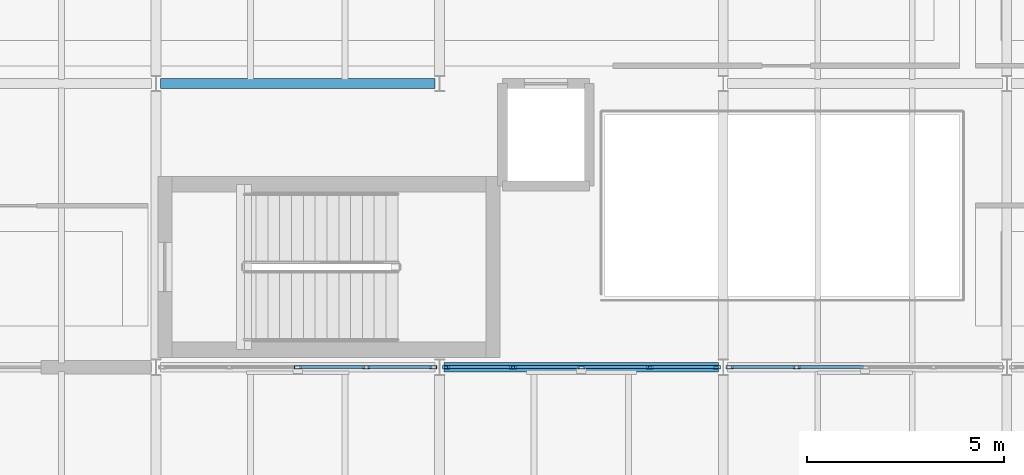
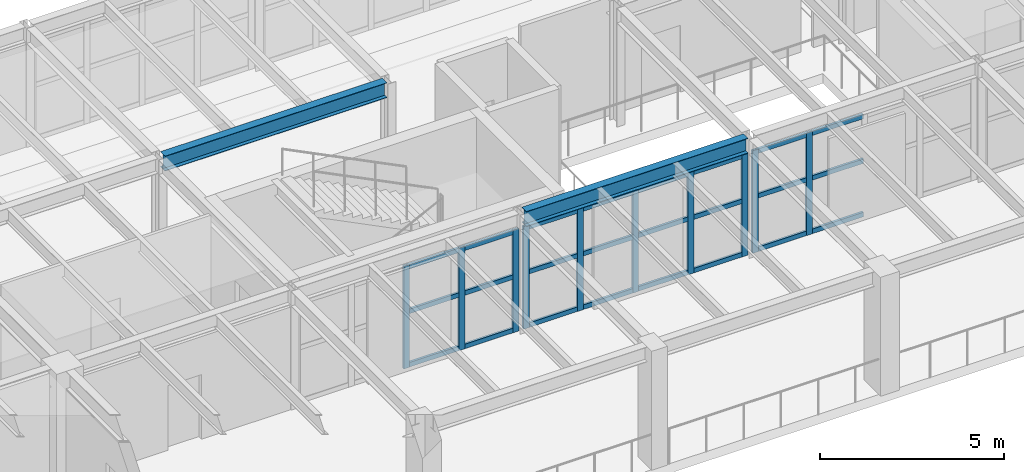
# One storey, part 15 of 59: 34 members, 2 beams, 3 elements without a shape of their own.
"""IFC4 building model written with IfcOpenShell, lengths in metres."""

import ifcopenshell
import ifcopenshell.guid

model = None  # the IFC model being written
_history = None  # IfcOwnerHistory: only IFC2X3 demands one
_inside = {}  # id of a spatial element -> (the spatial element, [elements in it])
_under = {}  # id of a project, library or spatial element -> (it, [spatial elements below it])
_declared = {}  # id of a project -> (the project, [libraries it declares])
_typed = {}  # id of a type object -> (the type object, [elements of that type])
_made_of = {}  # id of a material, layer set ... -> (it, [elements and type objects made of it])


def new_model(schema):
    """Start an empty IFC model of exactly this schema.

    Asked for "IFC4X3", IfcOpenShell would pick the latest addendum, in which some entities
    have other attributes; the version numbers below select the first issue.
    IFC2X3 requires an IfcOwnerHistory on every rooted entity: one is made here for all.
    """
    global model, _history
    if schema == "IFC4X3":
        model = ifcopenshell.file(schema_version=(4, 3, 0, 0))
    else:
        model = ifcopenshell.file(schema=schema)
    _inside.clear()
    _under.clear()
    _declared.clear()
    _typed.clear()
    _made_of.clear()
    _history = None
    if model.schema == "IFC2X3":
        org = make("IfcOrganization", Name="unknown")
        user = make(
            "IfcPersonAndOrganization",
            ThePerson=make("IfcPerson", FamilyName="unknown"),
            TheOrganization=org,
        )
        app = make(
            "IfcApplication",
            ApplicationDeveloper=org,
            Version="unknown",
            ApplicationFullName="unknown",
            ApplicationIdentifier="unknown",
        )
        _history = make(
            "IfcOwnerHistory",
            OwningUser=user,
            OwningApplication=app,
            ChangeAction="ADDED",
            CreationDate=0,
        )
    return model


def make(cls, **values):
    """One entity of the class cls with the attributes given. An attribute that is None is left unset."""
    return model.create_entity(
        cls, **{name: value for name, value in values.items() if value is not None}
    )


def rooted(cls, **values):
    """An entity with a GlobalId (a new one), such as an element, a storey or a relation."""
    return make(cls, GlobalId=ifcopenshell.guid.new(), OwnerHistory=_history, **values)


def si_unit(unit_type, name, prefix=None):
    """IfcSIUnit, for example si_unit("LENGTHUNIT", "METRE", prefix="MILLI")."""
    return make("IfcSIUnit", UnitType=unit_type, Prefix=prefix, Name=name)


def assignment(units):
    """IfcUnitAssignment: the units of a project."""
    return None if units is None else make("IfcUnitAssignment", Units=units)


def point(xyz):
    """IfcCartesianPoint."""
    return None if xyz is None else make("IfcCartesianPoint", Coordinates=xyz)


def direction(xyz):
    """IfcDirection."""
    return None if xyz is None else make("IfcDirection", DirectionRatios=xyz)


def frame(location, z_axis=None, x_axis=None):
    """IfcAxis2Placement3D, a coordinate frame: its origin and axes. An axis left out is left unset."""
    return make(
        "IfcAxis2Placement3D",
        Location=point(location),
        Axis=direction(z_axis),
        RefDirection=direction(x_axis),
    )


def frame_2d(location, x_axis=None):
    """IfcAxis2Placement2D, a coordinate frame in the plane: its origin and x axis."""
    return make(
        "IfcAxis2Placement2D", Location=point(location), RefDirection=direction(x_axis)
    )


def origin():
    """The frame at (0, 0, 0) with its axes left unset."""
    return frame((0.0, 0.0, 0.0))


def origin_2d():
    """The frame at (0, 0) in the plane with its x axis left unset."""
    return frame_2d((0.0, 0.0))


def place(relative_to, where):
    """IfcLocalPlacement: puts the frame where relative to a parent placement (None: the world)."""
    return make(
        "IfcLocalPlacement", PlacementRelTo=relative_to, RelativePlacement=where
    )


def context(
    kind, dimensions, precision=None, world=None, true_north=None, identifier=None
):
    """IfcGeometricRepresentationContext, for example the 3D "Model" context."""
    return make(
        "IfcGeometricRepresentationContext",
        ContextIdentifier=identifier,
        ContextType=kind,
        CoordinateSpaceDimension=dimensions,
        Precision=precision,
        WorldCoordinateSystem=world,
        TrueNorth=true_north,
    )


def subcontext(parent, identifier, kind, view, scale=None):
    """IfcGeometricRepresentationSubContext, for example "Body" below "Model"."""
    return make(
        "IfcGeometricRepresentationSubContext",
        ContextIdentifier=identifier,
        ContextType=kind,
        ParentContext=parent,
        TargetScale=scale,
        TargetView=view,
    )


def project(units=None, contexts=None):
    """IfcProject with its units and contexts."""
    return rooted(
        "IfcProject",
        Name="project",
        RepresentationContexts=contexts,
        UnitsInContext=assignment(units),
    )


def spatial(cls, under=None, at=None, **own):
    """A site, building, storey or space (cls), placed at a placement, below another one or the project."""
    s = rooted(cls, ObjectPlacement=at, **own)
    if under is not None:
        _under.setdefault(under.id(), (under, []))[1].append(s)
    return s


def profile(cls, at=None, kind="AREA", **sizes):
    """A parametric profile (cls). Its sizes go by their IFC names, for example OverallWidth=200.0."""
    return make(cls, ProfileType=kind, Position=at, **sizes)


def hollow_rectangle(**sizes):
    """IfcRectangleHollowProfileDef."""
    return profile("IfcRectangleHollowProfileDef", **sizes)


def i_section(**sizes):
    """IfcIShapeProfileDef."""
    return profile("IfcIShapeProfileDef", **sizes)


def extrude(swept, where, along, depth):
    """IfcExtrudedAreaSolid: the profile swept, set in the frame where, extruded along a direction by depth."""
    return make(
        "IfcExtrudedAreaSolid",
        SweptArea=swept,
        Position=where,
        ExtrudedDirection=direction(along),
        Depth=depth,
    )


def shape(context_of_items, identifier, shape_type, items):
    """IfcShapeRepresentation: the items that make up one representation, for example the "Body"."""
    return make(
        "IfcShapeRepresentation",
        ContextOfItems=context_of_items,
        RepresentationIdentifier=identifier,
        RepresentationType=shape_type,
        Items=items,
    )


def material(Name=None, Category=None):
    """IfcMaterial."""
    return make("IfcMaterial", Name=Name, Category=Category)


def layer(
    of_material, thickness, ventilated=None, Name=None, Category=None, Priority=None
):
    """IfcMaterialLayer: one layer of a wall or slab, of a material (None: an air gap)."""
    return make(
        "IfcMaterialLayer",
        Material=of_material,
        LayerThickness=thickness,
        IsVentilated=ventilated,
        Name=Name,
        Category=Category,
        Priority=Priority,
    )


def layer_set(layers, Name=None):
    """IfcMaterialLayerSet."""
    return make("IfcMaterialLayerSet", MaterialLayers=layers, LayerSetName=Name)


def material_profile(
    of_material, cross_section, Name=None, Category=None, Priority=None
):
    """IfcMaterialProfile: a cross section and its material."""
    return make(
        "IfcMaterialProfile",
        Name=Name,
        Material=of_material,
        Profile=cross_section,
        Priority=Priority,
        Category=Category,
    )


def profile_set(profiles, Name=None, composite=None):
    """IfcMaterialProfileSet."""
    return make(
        "IfcMaterialProfileSet",
        Name=Name,
        MaterialProfiles=profiles,
        CompositeProfile=composite,
    )


def made_of(thing, what):
    """Note that an element or type object is made of a material, layer set ...; save() writes the relation."""
    if what is not None:
        _made_of.setdefault(what.id(), (what, []))[1].append(thing)
    return thing


def type_object(cls, material=None, **own):
    """A type object (cls), such as IfcWallType, which elements share."""
    return made_of(rooted(cls, **own), material)


def element(
    cls,
    number,
    at=None,
    inside=None,
    cuts=None,
    type_object=None,
    material=None,
    context=None,
    identifier="Body",
    shape_type=None,
    held_by="IfcProductDefinitionShape",
    body=None,
    shapes=None,
    **own,
):
    """One element of the class cls, such as IfcWall. Its Tag is "e" and its number.

    at: its placement. inside: the storey or other place that contains it. cuts: it is an
    opening in that element (IfcRelVoidsElement). A single representation is given by context,
    identifier, shape_type and body (its items); several are given by shapes. held_by: the class
    of the entity that holds the representations. save() writes the other relations.
    """
    e = rooted(cls, Tag="e%d" % number, ObjectPlacement=at, **own)
    if body is not None:
        shapes = [shape(context, identifier, shape_type, body)]
    if shapes is not None:
        e.Representation = make(held_by, Representations=shapes)
    if inside is not None:
        _inside.setdefault(inside.id(), (inside, []))[1].append(e)
    if cuts is not None:
        rooted(
            "IfcRelVoidsElement", RelatingBuildingElement=cuts, RelatedOpeningElement=e
        )
    if type_object is not None:
        _typed.setdefault(type_object.id(), (type_object, []))[1].append(e)
    return made_of(e, material)


def aggregate(whole, parts):
    """IfcRelAggregates: a whole, such as a stair, and the parts it consists of."""
    return rooted("IfcRelAggregates", RelatingObject=whole, RelatedObjects=parts)


def save(model, path):
    """Write the relations noted so far, then the file.

    IfcRelAggregates (storeys below a building ...), IfcRelContainedInSpatialStructure (elements
    in a storey), IfcRelDefinesByType, IfcRelAssociatesMaterial and IfcRelDeclares: one each for
    every whole, place, type object, material and project.
    """
    for whole, parts in _under.values():
        aggregate(whole, parts)
    for where, things in _inside.values():
        rooted(
            "IfcRelContainedInSpatialStructure",
            RelatedElements=things,
            RelatingStructure=where,
        )
    for kind, things in _typed.values():
        rooted("IfcRelDefinesByType", RelatedObjects=things, RelatingType=kind)
    for what, things in _made_of.values():
        rooted("IfcRelAssociatesMaterial", RelatedObjects=things, RelatingMaterial=what)
    for by, libraries in _declared.values():
        rooted("IfcRelDeclares", RelatingContext=by, RelatedDefinitions=libraries)
    model.write(path)


model = new_model("IFC4")

# Units and contexts
model_context = context("Model", 3, precision=1e-05, world=origin(), true_north=direction((0.0, 1.0)))
body_context = subcontext(model_context, "Body", "Model", "MODEL_VIEW")
ifc_project = project(units=[si_unit("LENGTHUNIT", "METRE"), si_unit("AREAUNIT", "SQUARE_METRE"), si_unit("VOLUMEUNIT", "CUBIC_METRE"), si_unit("PLANEANGLEUNIT", "RADIAN"), si_unit("MASSUNIT", "GRAM", prefix="KILO")], contexts=[model_context])

# Site, building, storey
site_placement = place(None, origin())
site = spatial("IfcSite", under=ifc_project, at=site_placement, CompositionType="ELEMENT")
building_placement = place(site_placement, origin())
building = spatial("IfcBuilding", under=site, at=building_placement, Name="Kandorven Conservatory and Botanical Research Centre", CompositionType="ELEMENT")
storey_placement = place(building_placement, frame((0.0, 0.0, 4.800048828125)))
storey = spatial("IfcBuildingStorey", under=building, at=storey_placement, Name="L01", CompositionType="ELEMENT", Elevation=4.800048828125)

# Beams
ifc_material_1 = material(Name="Steel S355 (IS 2062 E350)", Category="steel")
ifc_material_profile_1 = material_profile(ifc_material_1, i_section(OverallWidth=0.25, OverallDepth=0.5, WebThickness=0.010009765625, FlangeThickness=0.0146484375, at=origin_2d()))
ifc_profile_set_1 = profile_set([ifc_material_profile_1], Name="Steel S355 (IS 2062 E350)")
beam_type = type_object("IfcBeamType", Name="Beam_FG-02", PredefinedType="USERDEFINED", material=ifc_profile_set_1)
beam_1_placement = place(storey_placement, frame((56.514892578125, 13.199951171875, 3.699951171875), z_axis=(1.0, 0.0, 0.0), x_axis=(0.0, 1.0, 0.0)))
element("IfcBeam", 1, at=beam_1_placement, inside=storey, type_object=beam_type, Name="Primary girder FG-02 VIS L01", ObjectType="GIRDER", PredefinedType="USERDEFINED", context=body_context, shape_type="SweptSolid", body=[
    extrude(i_section(OverallWidth=0.25, OverallDepth=0.5, WebThickness=0.010009765625, FlangeThickness=0.0146484375, at=origin_2d()), origin(), (0.0, 0.0, 1.0), 6.97021484375),
])
beam_2_placement = place(storey_placement, frame((49.31494140625, 20.39990234375, 3.699951171875), z_axis=(1.0, 0.0, 0.0), x_axis=(0.0, 1.0, 0.0)))
element("IfcBeam", 2, at=beam_2_placement, inside=storey, type_object=beam_type, Name="Primary girder FG-02 VIS L01", ObjectType="GIRDER", PredefinedType="USERDEFINED", context=body_context, shape_type="SweptSolid", body=[
    extrude(i_section(OverallWidth=0.25, OverallDepth=0.5, WebThickness=0.010009765625, FlangeThickness=0.0146484375, at=origin_2d()), origin(), (0.0, 0.0, 1.0), 6.969970703125),
])

# Curtain wall, members
ifc_material_2 = material(Name="Bronze anodised thermally broken aluminium", Category="aluminium")
ifc_layer = layer(ifc_material_2, 0.179931640625)
ifc_layer_set = layer_set([ifc_layer], Name="Bronze anodised thermally broken aluminium")
curtain_wall_type = type_object("IfcCurtainWallType", Name="CW_Unitised", PredefinedType="USERDEFINED", material=ifc_layer_set)
curtain_wall_1_placement = place(storey_placement, origin())
curtain_wall_1 = element("IfcCurtainWall", 3, at=curtain_wall_1_placement, inside=storey, type_object=curtain_wall_type, Name="Visitor wing unitised curtain wall CW-VIS-S-L01-2", ObjectType="UNITISED GLAZING", PredefinedType="USERDEFINED")
ifc_material_3 = material(Name="Bronze anodised thermally broken aluminium", Category="aluminium")
ifc_material_profile_2 = material_profile(ifc_material_3, hollow_rectangle(XDim=0.080078125, YDim=0.179931640625, WallThickness=0.006103515625, at=origin_2d()))
ifc_profile_set_2 = profile_set([ifc_material_profile_2], Name="Bronze anodised thermally broken aluminium")
member_type_1 = type_object("IfcMemberType", Name="CW_Mullion", PredefinedType="MULLION", material=ifc_profile_set_2)
member_1_placement = place(storey_placement, frame((52.800048828125, 13.199951171875, 0.0), z_axis=(0.0, 0.0, 1.0), x_axis=(0.0, 1.0, 0.0)))
member_1 = element("IfcMember", 4, at=member_1_placement, type_object=member_type_1, Name="CW-01 mullion 3", PredefinedType="MULLION", context=body_context, shape_type="SweptSolid", body=[
    extrude(hollow_rectangle(XDim=0.080078125, YDim=0.179931640625, WallThickness=0.006103515625, at=origin_2d()), origin(), (0.0, 0.0, 1.0), 3.409912109375),
])
member_2_placement = place(storey_placement, frame((54.53759765625, 13.199951171875, 0.0), z_axis=(0.0, 0.0, 1.0), x_axis=(0.0, 1.0, 0.0)))
member_2 = element("IfcMember", 5, at=member_2_placement, type_object=member_type_1, Name="CW-01 mullion 4", PredefinedType="MULLION", context=body_context, shape_type="SweptSolid", body=[
    extrude(hollow_rectangle(XDim=0.080078125, YDim=0.179931640625, WallThickness=0.006103515625, at=origin_2d()), origin(), (0.0, 0.0, 1.0), 3.409912109375),
])
member_3_placement = place(storey_placement, frame((56.235107421875, 13.199951171875, 0.0), z_axis=(0.0, 0.0, 1.0), x_axis=(0.0, 1.0, 0.0)))
member_3 = element("IfcMember", 6, at=member_3_placement, type_object=member_type_1, Name="CW-01 mullion 5", PredefinedType="MULLION", context=body_context, shape_type="SweptSolid", body=[
    extrude(hollow_rectangle(XDim=0.080078125, YDim=0.179931640625, WallThickness=0.006103515625, at=origin_2d()), origin(), (0.0, 0.0, 1.0), 3.409912109375),
])

curtain_wall_2_placement = place(storey_placement, origin())
curtain_wall_2 = element("IfcCurtainWall", 7, at=curtain_wall_2_placement, inside=storey, type_object=curtain_wall_type, Name="Visitor wing unitised curtain wall CW-VIS-S-L01-3", ObjectType="UNITISED GLAZING", PredefinedType="USERDEFINED")
member_4_placement = place(storey_placement, frame((56.56494140625, 13.199951171875, 0.0), z_axis=(0.0, 0.0, 1.0), x_axis=(0.0, 1.0, 0.0)))
member_4 = element("IfcMember", 8, at=member_4_placement, type_object=member_type_1, Name="CW-01 mullion 1", PredefinedType="MULLION", context=body_context, shape_type="SweptSolid", body=[
    extrude(hollow_rectangle(XDim=0.080078125, YDim=0.179931640625, WallThickness=0.006103515625, at=origin_2d()), origin(), (0.0, 0.0, 1.0), 3.409912109375),
])
member_5_placement = place(storey_placement, frame((58.262451171875, 13.199951171875, 0.0), z_axis=(0.0, 0.0, 1.0), x_axis=(0.0, 1.0, 0.0)))
member_5 = element("IfcMember", 9, at=member_5_placement, type_object=member_type_1, Name="CW-01 mullion 2", PredefinedType="MULLION", context=body_context, shape_type="SweptSolid", body=[
    extrude(hollow_rectangle(XDim=0.080078125, YDim=0.179931640625, WallThickness=0.006103515625, at=origin_2d()), origin(), (0.0, 0.0, 1.0), 3.409912109375),
])
member_6_placement = place(storey_placement, frame((60.0, 13.199951171875, 0.0), z_axis=(0.0, 0.0, 1.0), x_axis=(0.0, 1.0, 0.0)))
member_6 = element("IfcMember", 10, at=member_6_placement, type_object=member_type_1, Name="CW-01 mullion 3", PredefinedType="MULLION", context=body_context, shape_type="SweptSolid", body=[
    extrude(hollow_rectangle(XDim=0.080078125, YDim=0.179931640625, WallThickness=0.006103515625, at=origin_2d()), origin(), (0.0, 0.0, 1.0), 3.409912109375),
])
member_7_placement = place(storey_placement, frame((61.737548828125, 13.199951171875, 0.0), z_axis=(0.0, 0.0, 1.0), x_axis=(0.0, 1.0, 0.0)))
member_7 = element("IfcMember", 11, at=member_7_placement, type_object=member_type_1, Name="CW-01 mullion 4", PredefinedType="MULLION", context=body_context, shape_type="SweptSolid", body=[
    extrude(hollow_rectangle(XDim=0.080078125, YDim=0.179931640625, WallThickness=0.006103515625, at=origin_2d()), origin(), (0.0, 0.0, 1.0), 3.409912109375),
])
member_8_placement = place(storey_placement, frame((63.43505859375, 13.199951171875, 0.0), z_axis=(0.0, 0.0, 1.0), x_axis=(0.0, 1.0, 0.0)))
member_8 = element("IfcMember", 12, at=member_8_placement, type_object=member_type_1, Name="CW-01 mullion 5", PredefinedType="MULLION", context=body_context, shape_type="SweptSolid", body=[
    extrude(hollow_rectangle(XDim=0.080078125, YDim=0.179931640625, WallThickness=0.006103515625, at=origin_2d()), origin(), (0.0, 0.0, 1.0), 3.409912109375),
])

curtain_wall_3_placement = place(storey_placement, origin())
curtain_wall_3 = element("IfcCurtainWall", 13, at=curtain_wall_3_placement, inside=storey, type_object=curtain_wall_type, Name="Visitor wing unitised curtain wall CW-VIS-S-L01-4", ObjectType="UNITISED GLAZING", PredefinedType="USERDEFINED")
member_9_placement = place(storey_placement, frame((63.764892578125, 13.199951171875, 0.0), z_axis=(0.0, 0.0, 1.0), x_axis=(0.0, 1.0, 0.0)))
member_9 = element("IfcMember", 14, at=member_9_placement, type_object=member_type_1, Name="CW-01 mullion 1", PredefinedType="MULLION", context=body_context, shape_type="SweptSolid", body=[
    extrude(hollow_rectangle(XDim=0.080078125, YDim=0.179931640625, WallThickness=0.006103515625, at=origin_2d()), origin(), (0.0, 0.0, 1.0), 3.409912109375),
])
member_10_placement = place(storey_placement, frame((65.46240234375, 13.199951171875, 0.0), z_axis=(0.0, 0.0, 1.0), x_axis=(0.0, 1.0, 0.0)))
member_10 = element("IfcMember", 15, at=member_10_placement, type_object=member_type_1, Name="CW-01 mullion 2", PredefinedType="MULLION", context=body_context, shape_type="SweptSolid", body=[
    extrude(hollow_rectangle(XDim=0.080078125, YDim=0.179931640625, WallThickness=0.006103515625, at=origin_2d()), origin(), (0.0, 0.0, 1.0), 3.409912109375),
])

# Member
ifc_material_4 = material(Name="Bronze anodised thermally broken aluminium", Category="aluminium")
ifc_material_profile_3 = material_profile(ifc_material_4, hollow_rectangle(XDim=0.074951171875, YDim=0.14990234375, WallThickness=0.006103515625, at=origin_2d()))
ifc_profile_set_3 = profile_set([ifc_material_profile_3], Name="Bronze anodised thermally broken aluminium")
member_type_2 = type_object("IfcMemberType", Name="CW_Transom", PredefinedType="USERDEFINED", material=ifc_profile_set_3)
member_11_placement = place(storey_placement, frame((52.840087890625, 13.199951171875, 0.074951171875), z_axis=(1.0, 0.0, 0.0), x_axis=(0.0, 1.0, 0.0)))
member_11 = element("IfcMember", 16, at=member_11_placement, type_object=member_type_2, Name="CW-01 transom 3.1", ObjectType="TRANSOM", PredefinedType="USERDEFINED", context=body_context, shape_type="SweptSolid", body=[
    extrude(hollow_rectangle(XDim=0.074951171875, YDim=0.14990234375, WallThickness=0.006103515625, at=origin_2d()), origin(), (0.0, 0.0, 1.0), 1.657470703125),
])

member_12_placement = place(storey_placement, frame((52.840087890625, 13.199951171875, 1.849853515625), z_axis=(1.0, 0.0, 0.0), x_axis=(0.0, 1.0, 0.0)))
member_12 = element("IfcMember", 17, at=member_12_placement, type_object=member_type_2, Name="CW-01 transom 3.2", ObjectType="TRANSOM", PredefinedType="USERDEFINED", context=body_context, shape_type="SweptSolid", body=[
    extrude(hollow_rectangle(XDim=0.074951171875, YDim=0.14990234375, WallThickness=0.006103515625, at=origin_2d()), origin(), (0.0, 0.0, 1.0), 1.657470703125),
])

member_13_placement = place(storey_placement, frame((52.840087890625, 13.199951171875, 3.3349609375), z_axis=(1.0, 0.0, 0.0), x_axis=(0.0, 1.0, 0.0)))
member_13 = element("IfcMember", 18, at=member_13_placement, type_object=member_type_2, Name="CW-01 transom 3.3", ObjectType="TRANSOM", PredefinedType="USERDEFINED", context=body_context, shape_type="SweptSolid", body=[
    extrude(hollow_rectangle(XDim=0.074951171875, YDim=0.14990234375, WallThickness=0.006103515625, at=origin_2d()), origin(), (0.0, 0.0, 1.0), 1.657470703125),
])

member_14_placement = place(storey_placement, frame((54.577392578125, 13.199951171875, 0.074951171875), z_axis=(1.0, 0.0, 0.0), x_axis=(0.0, 1.0, 0.0)))
member_14 = element("IfcMember", 19, at=member_14_placement, type_object=member_type_2, Name="CW-01 transom 4.1", ObjectType="TRANSOM", PredefinedType="USERDEFINED", context=body_context, shape_type="SweptSolid", body=[
    extrude(hollow_rectangle(XDim=0.074951171875, YDim=0.14990234375, WallThickness=0.006103515625, at=origin_2d()), origin(), (0.0, 0.0, 1.0), 1.61767578125),
])

member_15_placement = place(storey_placement, frame((54.577392578125, 13.199951171875, 1.849853515625), z_axis=(1.0, 0.0, 0.0), x_axis=(0.0, 1.0, 0.0)))
member_15 = element("IfcMember", 20, at=member_15_placement, type_object=member_type_2, Name="CW-01 transom 4.2", ObjectType="TRANSOM", PredefinedType="USERDEFINED", context=body_context, shape_type="SweptSolid", body=[
    extrude(hollow_rectangle(XDim=0.074951171875, YDim=0.14990234375, WallThickness=0.006103515625, at=origin_2d()), origin(), (0.0, 0.0, 1.0), 1.61767578125),
])

member_16_placement = place(storey_placement, frame((54.577392578125, 13.199951171875, 3.3349609375), z_axis=(1.0, 0.0, 0.0), x_axis=(0.0, 1.0, 0.0)))
member_16 = element("IfcMember", 21, at=member_16_placement, type_object=member_type_2, Name="CW-01 transom 4.3", ObjectType="TRANSOM", PredefinedType="USERDEFINED", context=body_context, shape_type="SweptSolid", body=[
    extrude(hollow_rectangle(XDim=0.074951171875, YDim=0.14990234375, WallThickness=0.006103515625, at=origin_2d()), origin(), (0.0, 0.0, 1.0), 1.61767578125),
])

aggregate(curtain_wall_1, [member_1, member_2, member_3, member_11, member_12, member_13, member_14, member_15, member_16])

member_17_placement = place(storey_placement, frame((56.60498046875, 13.199951171875, 0.074951171875), z_axis=(1.0, 0.0, 0.0), x_axis=(0.0, 1.0, 0.0)))
member_17 = element("IfcMember", 22, at=member_17_placement, type_object=member_type_2, Name="CW-01 transom 1.1", ObjectType="TRANSOM", PredefinedType="USERDEFINED", context=body_context, shape_type="SweptSolid", body=[
    extrude(hollow_rectangle(XDim=0.074951171875, YDim=0.14990234375, WallThickness=0.006103515625, at=origin_2d()), origin(), (0.0, 0.0, 1.0), 1.617431640625),
])

member_18_placement = place(storey_placement, frame((56.60498046875, 13.199951171875, 1.849853515625), z_axis=(1.0, 0.0, 0.0), x_axis=(0.0, 1.0, 0.0)))
member_18 = element("IfcMember", 23, at=member_18_placement, type_object=member_type_2, Name="CW-01 transom 1.2", ObjectType="TRANSOM", PredefinedType="USERDEFINED", context=body_context, shape_type="SweptSolid", body=[
    extrude(hollow_rectangle(XDim=0.074951171875, YDim=0.14990234375, WallThickness=0.006103515625, at=origin_2d()), origin(), (0.0, 0.0, 1.0), 1.617431640625),
])

member_19_placement = place(storey_placement, frame((56.60498046875, 13.199951171875, 3.3349609375), z_axis=(1.0, 0.0, 0.0), x_axis=(0.0, 1.0, 0.0)))
member_19 = element("IfcMember", 24, at=member_19_placement, type_object=member_type_2, Name="CW-01 transom 1.3", ObjectType="TRANSOM", PredefinedType="USERDEFINED", context=body_context, shape_type="SweptSolid", body=[
    extrude(hollow_rectangle(XDim=0.074951171875, YDim=0.14990234375, WallThickness=0.006103515625, at=origin_2d()), origin(), (0.0, 0.0, 1.0), 1.617431640625),
])

member_20_placement = place(storey_placement, frame((58.302490234375, 13.199951171875, 0.074951171875), z_axis=(1.0, 0.0, 0.0), x_axis=(0.0, 1.0, 0.0)))
member_20 = element("IfcMember", 25, at=member_20_placement, type_object=member_type_2, Name="CW-01 transom 2.1", ObjectType="TRANSOM", PredefinedType="USERDEFINED", context=body_context, shape_type="SweptSolid", body=[
    extrude(hollow_rectangle(XDim=0.074951171875, YDim=0.14990234375, WallThickness=0.006103515625, at=origin_2d()), origin(), (0.0, 0.0, 1.0), 1.657470703125),
])

member_21_placement = place(storey_placement, frame((58.302490234375, 13.199951171875, 1.849853515625), z_axis=(1.0, 0.0, 0.0), x_axis=(0.0, 1.0, 0.0)))
member_21 = element("IfcMember", 26, at=member_21_placement, type_object=member_type_2, Name="CW-01 transom 2.2", ObjectType="TRANSOM", PredefinedType="USERDEFINED", context=body_context, shape_type="SweptSolid", body=[
    extrude(hollow_rectangle(XDim=0.074951171875, YDim=0.14990234375, WallThickness=0.006103515625, at=origin_2d()), origin(), (0.0, 0.0, 1.0), 1.657470703125),
])

member_22_placement = place(storey_placement, frame((58.302490234375, 13.199951171875, 3.3349609375), z_axis=(1.0, 0.0, 0.0), x_axis=(0.0, 1.0, 0.0)))
member_22 = element("IfcMember", 27, at=member_22_placement, type_object=member_type_2, Name="CW-01 transom 2.3", ObjectType="TRANSOM", PredefinedType="USERDEFINED", context=body_context, shape_type="SweptSolid", body=[
    extrude(hollow_rectangle(XDim=0.074951171875, YDim=0.14990234375, WallThickness=0.006103515625, at=origin_2d()), origin(), (0.0, 0.0, 1.0), 1.657470703125),
])

member_23_placement = place(storey_placement, frame((60.0400390625, 13.199951171875, 0.074951171875), z_axis=(1.0, 0.0, 0.0), x_axis=(0.0, 1.0, 0.0)))
member_23 = element("IfcMember", 28, at=member_23_placement, type_object=member_type_2, Name="CW-01 transom 3.1", ObjectType="TRANSOM", PredefinedType="USERDEFINED", context=body_context, shape_type="SweptSolid", body=[
    extrude(hollow_rectangle(XDim=0.074951171875, YDim=0.14990234375, WallThickness=0.006103515625, at=origin_2d()), origin(), (0.0, 0.0, 1.0), 1.657470703125),
])

member_24_placement = place(storey_placement, frame((60.0400390625, 13.199951171875, 1.849853515625), z_axis=(1.0, 0.0, 0.0), x_axis=(0.0, 1.0, 0.0)))
member_24 = element("IfcMember", 29, at=member_24_placement, type_object=member_type_2, Name="CW-01 transom 3.2", ObjectType="TRANSOM", PredefinedType="USERDEFINED", context=body_context, shape_type="SweptSolid", body=[
    extrude(hollow_rectangle(XDim=0.074951171875, YDim=0.14990234375, WallThickness=0.006103515625, at=origin_2d()), origin(), (0.0, 0.0, 1.0), 1.657470703125),
])

member_25_placement = place(storey_placement, frame((60.0400390625, 13.199951171875, 3.3349609375), z_axis=(1.0, 0.0, 0.0), x_axis=(0.0, 1.0, 0.0)))
member_25 = element("IfcMember", 30, at=member_25_placement, type_object=member_type_2, Name="CW-01 transom 3.3", ObjectType="TRANSOM", PredefinedType="USERDEFINED", context=body_context, shape_type="SweptSolid", body=[
    extrude(hollow_rectangle(XDim=0.074951171875, YDim=0.14990234375, WallThickness=0.006103515625, at=origin_2d()), origin(), (0.0, 0.0, 1.0), 1.657470703125),
])

member_26_placement = place(storey_placement, frame((61.777587890625, 13.199951171875, 0.074951171875), z_axis=(1.0, 0.0, 0.0), x_axis=(0.0, 1.0, 0.0)))
member_26 = element("IfcMember", 31, at=member_26_placement, type_object=member_type_2, Name="CW-01 transom 4.1", ObjectType="TRANSOM", PredefinedType="USERDEFINED", context=body_context, shape_type="SweptSolid", body=[
    extrude(hollow_rectangle(XDim=0.074951171875, YDim=0.14990234375, WallThickness=0.006103515625, at=origin_2d()), origin(), (0.0, 0.0, 1.0), 1.617431640625),
])

member_27_placement = place(storey_placement, frame((61.777587890625, 13.199951171875, 1.849853515625), z_axis=(1.0, 0.0, 0.0), x_axis=(0.0, 1.0, 0.0)))
member_27 = element("IfcMember", 32, at=member_27_placement, type_object=member_type_2, Name="CW-01 transom 4.2", ObjectType="TRANSOM", PredefinedType="USERDEFINED", context=body_context, shape_type="SweptSolid", body=[
    extrude(hollow_rectangle(XDim=0.074951171875, YDim=0.14990234375, WallThickness=0.006103515625, at=origin_2d()), origin(), (0.0, 0.0, 1.0), 1.617431640625),
])

member_28_placement = place(storey_placement, frame((61.777587890625, 13.199951171875, 3.3349609375), z_axis=(1.0, 0.0, 0.0), x_axis=(0.0, 1.0, 0.0)))
member_28 = element("IfcMember", 33, at=member_28_placement, type_object=member_type_2, Name="CW-01 transom 4.3", ObjectType="TRANSOM", PredefinedType="USERDEFINED", context=body_context, shape_type="SweptSolid", body=[
    extrude(hollow_rectangle(XDim=0.074951171875, YDim=0.14990234375, WallThickness=0.006103515625, at=origin_2d()), origin(), (0.0, 0.0, 1.0), 1.617431640625),
])

aggregate(curtain_wall_2, [member_4, member_5, member_6, member_7, member_8, member_17, member_18, member_19, member_20, member_21, member_22, member_23, member_24, member_25, member_26, member_27, member_28])

member_29_placement = place(storey_placement, frame((63.804931640625, 13.199951171875, 0.074951171875), z_axis=(1.0, 0.0, 0.0), x_axis=(0.0, 1.0, 0.0)))
member_29 = element("IfcMember", 34, at=member_29_placement, type_object=member_type_2, Name="CW-01 transom 1.1", ObjectType="TRANSOM", PredefinedType="USERDEFINED", context=body_context, shape_type="SweptSolid", body=[
    extrude(hollow_rectangle(XDim=0.074951171875, YDim=0.14990234375, WallThickness=0.006103515625, at=origin_2d()), origin(), (0.0, 0.0, 1.0), 1.61767578125),
])

member_30_placement = place(storey_placement, frame((63.804931640625, 13.199951171875, 1.849853515625), z_axis=(1.0, 0.0, 0.0), x_axis=(0.0, 1.0, 0.0)))
member_30 = element("IfcMember", 35, at=member_30_placement, type_object=member_type_2, Name="CW-01 transom 1.2", ObjectType="TRANSOM", PredefinedType="USERDEFINED", context=body_context, shape_type="SweptSolid", body=[
    extrude(hollow_rectangle(XDim=0.074951171875, YDim=0.14990234375, WallThickness=0.006103515625, at=origin_2d()), origin(), (0.0, 0.0, 1.0), 1.61767578125),
])

member_31_placement = place(storey_placement, frame((63.804931640625, 13.199951171875, 3.3349609375), z_axis=(1.0, 0.0, 0.0), x_axis=(0.0, 1.0, 0.0)))
member_31 = element("IfcMember", 36, at=member_31_placement, type_object=member_type_2, Name="CW-01 transom 1.3", ObjectType="TRANSOM", PredefinedType="USERDEFINED", context=body_context, shape_type="SweptSolid", body=[
    extrude(hollow_rectangle(XDim=0.074951171875, YDim=0.14990234375, WallThickness=0.006103515625, at=origin_2d()), origin(), (0.0, 0.0, 1.0), 1.61767578125),
])

member_32_placement = place(storey_placement, frame((65.50244140625, 13.199951171875, 0.074951171875), z_axis=(1.0, 0.0, 0.0), x_axis=(0.0, 1.0, 0.0)))
member_32 = element("IfcMember", 37, at=member_32_placement, type_object=member_type_2, Name="CW-01 transom 2.1", ObjectType="TRANSOM", PredefinedType="USERDEFINED", context=body_context, shape_type="SweptSolid", body=[
    extrude(hollow_rectangle(XDim=0.074951171875, YDim=0.14990234375, WallThickness=0.006103515625, at=origin_2d()), origin(), (0.0, 0.0, 1.0), 1.657470703125),
])

member_33_placement = place(storey_placement, frame((65.50244140625, 13.199951171875, 1.849853515625), z_axis=(1.0, 0.0, 0.0), x_axis=(0.0, 1.0, 0.0)))
member_33 = element("IfcMember", 38, at=member_33_placement, type_object=member_type_2, Name="CW-01 transom 2.2", ObjectType="TRANSOM", PredefinedType="USERDEFINED", context=body_context, shape_type="SweptSolid", body=[
    extrude(hollow_rectangle(XDim=0.074951171875, YDim=0.14990234375, WallThickness=0.006103515625, at=origin_2d()), origin(), (0.0, 0.0, 1.0), 1.657470703125),
])

member_34_placement = place(storey_placement, frame((65.50244140625, 13.199951171875, 3.3349609375), z_axis=(1.0, 0.0, 0.0), x_axis=(0.0, 1.0, 0.0)))
member_34 = element("IfcMember", 39, at=member_34_placement, type_object=member_type_2, Name="CW-01 transom 2.3", ObjectType="TRANSOM", PredefinedType="USERDEFINED", context=body_context, shape_type="SweptSolid", body=[
    extrude(hollow_rectangle(XDim=0.074951171875, YDim=0.14990234375, WallThickness=0.006103515625, at=origin_2d()), origin(), (0.0, 0.0, 1.0), 1.657470703125),
])

aggregate(curtain_wall_3, [member_9, member_10, member_29, member_30, member_31, member_32, member_33, member_34])

save(model, "model.ifc")
